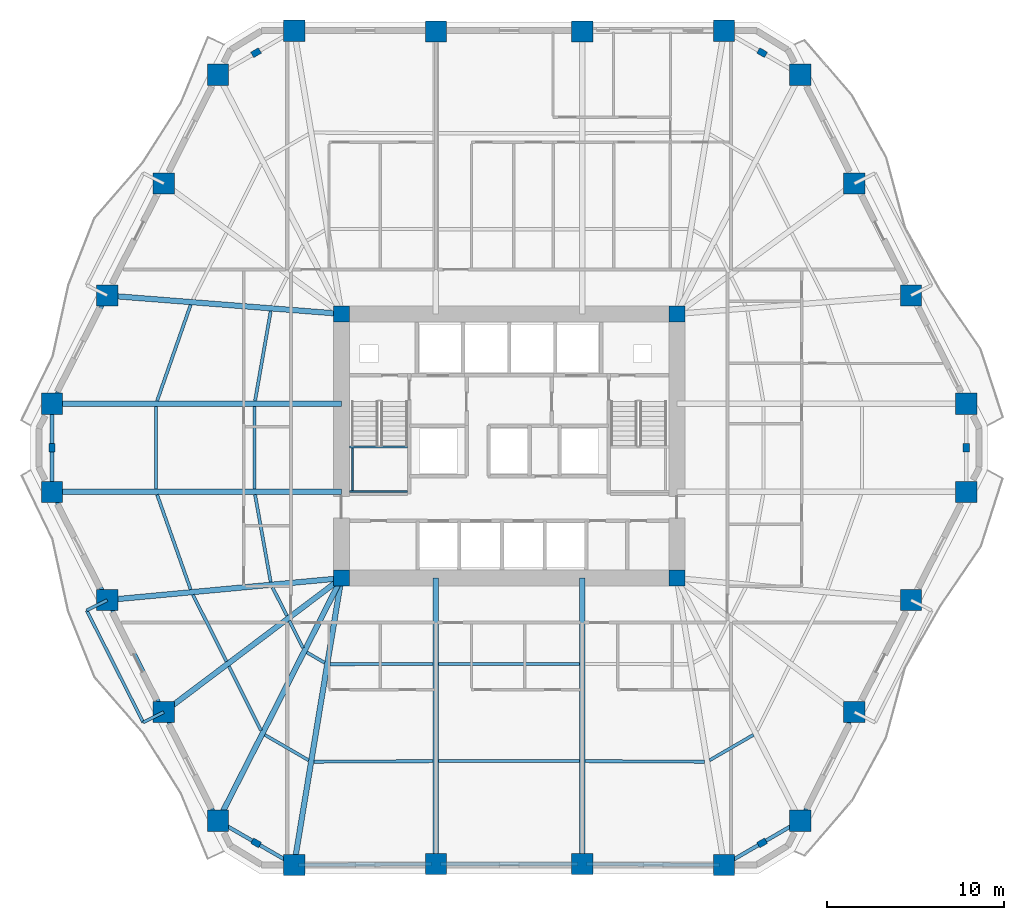
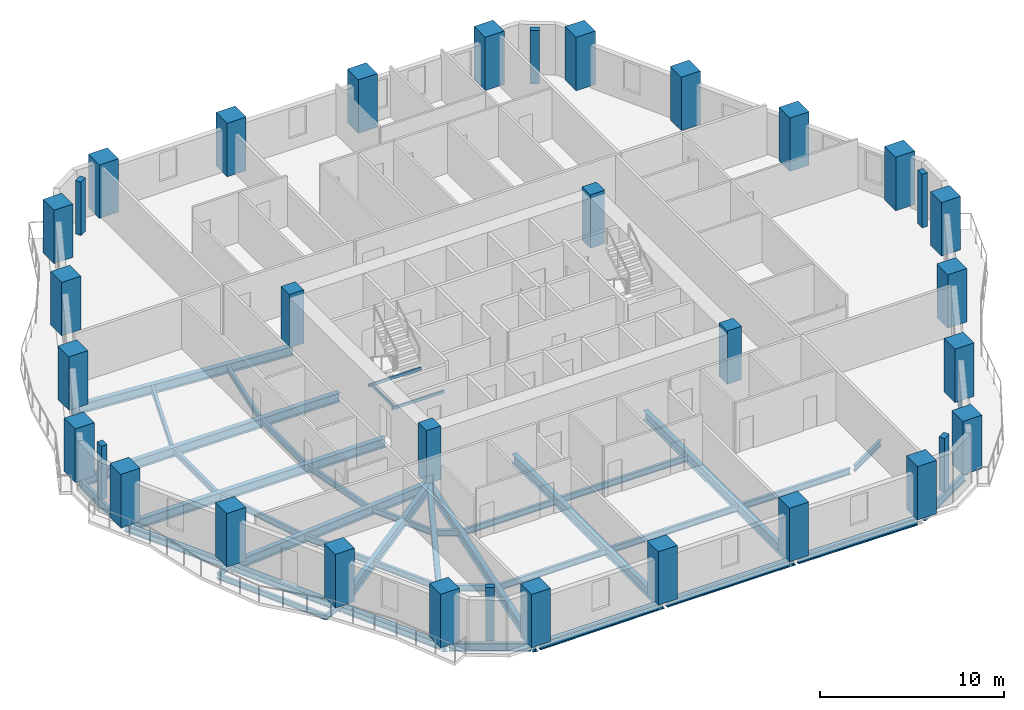
# One storey, part 1 of 11: 44 beams, 34 columns.
"""IFC4 building model written with IfcOpenShell, lengths in metres."""

from ifc_helpers import new_model, si_unit, direction, frame, origin, origin_2d, place, context, subcontext, project, spatial, rectangle, hollow_rectangle, i_section, extrude, material, material_profile, profile_set, type_object, element, save


model = new_model("IFC4")

# Units and contexts
model_context = context("Model", 3, precision=1e-05, world=origin(), true_north=direction((0.0, 1.0)))
body_context = subcontext(model_context, "Body", "Model", "MODEL_VIEW")
ifc_project = project(units=[si_unit("LENGTHUNIT", "METRE"), si_unit("AREAUNIT", "SQUARE_METRE"), si_unit("VOLUMEUNIT", "CUBIC_METRE"), si_unit("PLANEANGLEUNIT", "RADIAN"), si_unit("MASSUNIT", "GRAM", prefix="KILO")], contexts=[model_context])

# Site, building, storey
site_placement = place(None, origin())
site = spatial("IfcSite", under=ifc_project, at=site_placement, CompositionType="ELEMENT")
building_placement = place(site_placement, origin())
building = spatial("IfcBuilding", under=site, at=building_placement, Name="Cinnabar Lancet Tower", CompositionType="ELEMENT")
storey_placement = place(building_placement, frame((0.0, 0.0, 60.39990234375)))
storey = spatial("IfcBuildingStorey", under=building, at=storey_placement, Name="L15", CompositionType="ELEMENT", Elevation=60.39990234375)

# Columns
ifc_material_1 = material(Name="Concrete C80/95", Category="concrete")
ifc_material_profile_1 = material_profile(ifc_material_1, rectangle(XDim=0.89990234375, YDim=0.89990234375, at=origin_2d()), Name="RC-COL 900x900")
ifc_profile_set_1 = profile_set([ifc_material_profile_1], Name="Concrete C80/95")
column_type_1 = type_object("IfcColumnType", Name="STR-COL-CORE-900", PredefinedType="COLUMN", material=ifc_profile_set_1)
for number, where, z_axis, x_axis, name in (
    (1, (22.949951171875, 18.449951171875, 0.0), (0.0, 0.0, 1.0), (1.0, 0.0, 0.0), "L15 Core Corner Column SW"),
    (2, (41.85009765625, 18.449951171875, 0.0), (0.0, 0.0, 1.0), (1.0, 0.0, 0.0), "L15 Core Corner Column SE"),
    (3, (41.85009765625, 33.35009765625, 0.0), (0.0, 0.0, 1.0), (1.0, 0.0, 0.0), "L15 Core Corner Column NE"),
    (4, (22.949951171875, 33.35009765625, 0.0), (0.0, 0.0, 1.0), (1.0, 0.0, 0.0), "L15 Core Corner Column NW"),
):
    element("IfcColumn", number, at=place(storey_placement, frame(where, z_axis=z_axis, x_axis=x_axis)), inside=storey, type_object=column_type_1, Name=name, PredefinedType="COLUMN", context=body_context, shape_type="SweptSolid", body=[
        extrude(rectangle(XDim=0.89990234375, YDim=0.89990234375, at=origin_2d()), origin(), (0.0, 0.0, 1.0), 3.550048828125),
    ])
ifc_material_2 = material(Name="Concrete C60/75", Category="concrete")
ifc_material_profile_2 = material_profile(ifc_material_2, rectangle(XDim=0.5, YDim=0.35009765625, at=origin_2d()), Name="RC-PIL 500x350")
ifc_profile_set_2 = profile_set([ifc_material_profile_2], Name="Concrete C60/75")
column_type_2 = type_object("IfcColumnType", Name="STR-COL-PIL-500", PredefinedType="PILASTER", material=ifc_profile_set_2)
for number, where, z_axis, x_axis, name in (
    (5, (18.139892578125, 3.531005859375, 0.0), (0.0, 0.0, 1.0), (0.865195182343, -0.501435236546, 0.0), "L15 Chamfered Corner Pilaster 1"),
    (6, (46.659912109375, 3.531005859375, 0.0), (0.0, 0.0, 1.0), (0.865195182343, 0.501435236546, 0.0), "L15 Chamfered Corner Pilaster 2"),
    (7, (58.16796875, 25.800048828125, 0.0), (0.0, 0.0, 1.0), (0.0, 1.0, 0.0), "L15 Chamfered Corner Pilaster 3"),
    (8, (46.659912109375, 48.069091796875, 0.0), (0.0, 0.0, 1.0), (-0.865195182343, 0.501435236546, 0.0), "L15 Chamfered Corner Pilaster 4"),
    (9, (18.139892578125, 48.069091796875, 0.0), (0.0, 0.0, 1.0), (-0.865195182343, -0.501435236546, 0.0), "L15 Chamfered Corner Pilaster 5"),
    (10, (6.632080078125, 25.800048828125, 0.0), (0.0, 0.0, 1.0), (0.0, -1.0, 0.0), "L15 Chamfered Corner Pilaster 6"),
):
    element("IfcColumn", number, at=place(storey_placement, frame(where, z_axis=z_axis, x_axis=x_axis)), inside=storey, type_object=column_type_2, Name=name, PredefinedType="PILASTER", context=body_context, shape_type="SweptSolid", body=[
        extrude(rectangle(XDim=0.5, YDim=0.35009765625, at=origin_2d()), origin(), (0.0, 0.0, 1.0), 3.550048828125),
    ])
ifc_material_3 = material(Name="Concrete C80/95", Category="concrete")
ifc_material_profile_3 = material_profile(ifc_material_3, rectangle(XDim=1.199951171875, YDim=1.199951171875, at=origin_2d()), Name="RC-COL 1200x1200")
ifc_profile_set_3 = profile_set([ifc_material_profile_3], Name="Concrete C80/95")
column_type_3 = type_object("IfcColumnType", Name="STR-COL-TUBE-1200", PredefinedType="COLUMN", material=ifc_profile_set_3)
for number, where, z_axis, x_axis, name in (
    (11, (20.282958984375, 2.2890625, 0.0), (0.0, 0.0, 1.0), (1.0, 0.0, 0.0), "L15 Perimeter Tube Column 1"),
    (12, (28.278076171875, 2.342041015625, 0.0), (0.0, 0.0, 1.0), (1.0, 0.0, 0.0), "L15 Perimeter Tube Column 2"),
    (13, (36.52197265625, 2.342041015625, 0.0), (0.0, 0.0, 1.0), (1.0, 0.0, 0.0), "L15 Perimeter Tube Column 3"),
    (14, (44.51708984375, 2.2890625, 0.0), (0.0, 0.0, 1.0), (1.0, 0.0, 0.0), "L15 Perimeter Tube Column 4"),
    (15, (48.802978515625, 4.77294921875, 0.0), (0.0, 0.0, 1.0), (1.0, 0.0, 0.0), "L15 Perimeter Tube Column 5"),
    (16, (51.85888671875, 10.908935546875, 0.0), (0.0, 0.0, 1.0), (1.0, 0.0, 0.0), "L15 Perimeter Tube Column 6"),
    (17, (55.0458984375, 17.219970703125, 0.0), (0.0, 0.0, 1.0), (1.0, 0.0, 0.0), "L15 Perimeter Tube Column 7"),
    (18, (58.16796875, 23.31396484375, 0.0), (0.0, 0.0, 1.0), (1.0, 0.0, 0.0), "L15 Perimeter Tube Column 8"),
    (19, (58.16796875, 28.285888671875, 0.0), (0.0, 0.0, 1.0), (1.0, 0.0, 0.0), "L15 Perimeter Tube Column 9"),
    (20, (55.0458984375, 34.3798828125, 0.0), (0.0, 0.0, 1.0), (1.0, 0.0, 0.0), "L15 Perimeter Tube Column 10"),
    (21, (51.85888671875, 40.69091796875, 0.0), (0.0, 0.0, 1.0), (1.0, 0.0, 0.0), "L15 Perimeter Tube Column 11"),
    (22, (48.802978515625, 46.826904296875, 0.0), (0.0, 0.0, 1.0), (1.0, 0.0, 0.0), "L15 Perimeter Tube Column 12"),
    (23, (44.51708984375, 49.31103515625, 0.0), (0.0, 0.0, 1.0), (1.0, 0.0, 0.0), "L15 Perimeter Tube Column 13"),
    (24, (36.52197265625, 49.258056640625, 0.0), (0.0, 0.0, 1.0), (1.0, 0.0, 0.0), "L15 Perimeter Tube Column 14"),
    (25, (28.278076171875, 49.258056640625, 0.0), (0.0, 0.0, 1.0), (1.0, 0.0, 0.0), "L15 Perimeter Tube Column 15"),
    (26, (20.282958984375, 49.31103515625, 0.0), (0.0, 0.0, 1.0), (1.0, 0.0, 0.0), "L15 Perimeter Tube Column 16"),
    (27, (15.9970703125, 46.826904296875, 0.0), (0.0, 0.0, 1.0), (1.0, 0.0, 0.0), "L15 Perimeter Tube Column 17"),
    (28, (12.94091796875, 40.69091796875, 0.0), (0.0, 0.0, 1.0), (1.0, 0.0, 0.0), "L15 Perimeter Tube Column 18"),
    (29, (9.75390625, 34.3798828125, 0.0), (0.0, 0.0, 1.0), (1.0, 0.0, 0.0), "L15 Perimeter Tube Column 19"),
    (30, (6.632080078125, 28.285888671875, 0.0), (0.0, 0.0, 1.0), (1.0, 0.0, 0.0), "L15 Perimeter Tube Column 20"),
    (31, (6.632080078125, 23.31396484375, 0.0), (0.0, 0.0, 1.0), (1.0, 0.0, 0.0), "L15 Perimeter Tube Column 21"),
    (32, (9.75390625, 17.219970703125, 0.0), (0.0, 0.0, 1.0), (1.0, 0.0, 0.0), "L15 Perimeter Tube Column 22"),
    (33, (12.94091796875, 10.908935546875, 0.0), (0.0, 0.0, 1.0), (1.0, 0.0, 0.0), "L15 Perimeter Tube Column 23"),
    (34, (15.9970703125, 4.77294921875, 0.0), (0.0, 0.0, 1.0), (1.0, 0.0, 0.0), "L15 Perimeter Tube Column 24"),
):
    element("IfcColumn", number, at=place(storey_placement, frame(where, z_axis=z_axis, x_axis=x_axis)), inside=storey, type_object=column_type_3, Name=name, PredefinedType="COLUMN", context=body_context, shape_type="SweptSolid", body=[
        extrude(rectangle(XDim=1.199951171875, YDim=1.199951171875, at=origin_2d()), origin(), (0.0, 0.0, 1.0), 3.550048828125),
    ])

# Beams
ifc_material_4 = material(Name="Structural steel S355", Category="steel")
ifc_material_profile_4 = material_profile(ifc_material_4, i_section(OverallWidth=0.177978515625, OverallDepth=0.406494140625, WebThickness=0.0078125, FlangeThickness=0.0126953125, FilletRadius=0.01025390625, at=origin_2d()), Name="UKB 406x178x60")
ifc_profile_set_4 = profile_set([ifc_material_profile_4], Name="Structural steel S355")
beam_type_1 = type_object("IfcBeamType", Name="STR-BM-JST-406", PredefinedType="JOIST", material=ifc_profile_set_4)
beam_1_placement = place(storey_placement, frame((12.56103515625, 23.159912109375, -0.4228515625), z_axis=(0.333349133153, -0.942803455353, 0.0), x_axis=(0.942803455353, 0.333349133153, 0.0)))
element("IfcBeam", 35, at=beam_1_placement, inside=storey, type_object=beam_type_1, Name="L15 Secondary Floor Joist 1", PredefinedType="JOIST", context=body_context, shape_type="SweptSolid", body=[
    extrude(i_section(OverallWidth=0.177978515625, OverallDepth=0.406494140625, WebThickness=0.0078125, FlangeThickness=0.0126953125, FilletRadius=0.01025390625, at=origin_2d()), origin(), (0.0, 0.0, 1.0), 5.67236328125),
])
beam_2_placement = place(storey_placement, frame((18.08203125, 23.159912109375, -0.4228515625), z_axis=(0.176227857104, -0.984349400559, 0.0), x_axis=(0.984349400559, 0.176227857104, 0.0)))
element("IfcBeam", 36, at=beam_2_placement, inside=storey, type_object=beam_type_1, Name="L15 Secondary Floor Joist 2", PredefinedType="JOIST", context=body_context, shape_type="SweptSolid", body=[
    extrude(i_section(OverallWidth=0.177978515625, OverallDepth=0.406494140625, WebThickness=0.0078125, FlangeThickness=0.0126953125, FilletRadius=0.01025390625, at=origin_2d()), origin(), (0.0, 0.0, 1.0), 5.00537109375),
])
beam_3_placement = place(storey_placement, frame((14.5791015625, 17.51611328125, -0.4228515625), z_axis=(0.450717414682, -0.892666685893, 0.0), x_axis=(0.892666685893, 0.450717414682, 0.0)))
element("IfcBeam", 37, at=beam_3_placement, inside=storey, type_object=beam_type_1, Name="L15 Secondary Floor Joist 3", PredefinedType="JOIST", context=body_context, shape_type="SweptSolid", body=[
    extrude(i_section(OverallWidth=0.177978515625, OverallDepth=0.406494140625, WebThickness=0.0078125, FlangeThickness=0.0126953125, FilletRadius=0.01025390625, at=origin_2d()), origin(), (0.0, 0.0, 1.0), 4.204345703125),
])
beam_4_placement = place(storey_placement, frame((19.06591796875, 17.93408203125, -0.4228515625), z_axis=(0.450519589093, -0.892766542744, 0.0), x_axis=(0.892766542744, 0.450519589093, 0.0)))
element("IfcBeam", 38, at=beam_4_placement, inside=storey, type_object=beam_type_1, Name="L15 Secondary Floor Joist 4", PredefinedType="JOIST", context=body_context, shape_type="SweptSolid", body=[
    extrude(i_section(OverallWidth=0.177978515625, OverallDepth=0.406494140625, WebThickness=0.0078125, FlangeThickness=0.0126953125, FilletRadius=0.01025390625, at=origin_2d()), origin(), (0.0, 0.0, 1.0), 1.80029296875),
])
beam_5_placement = place(storey_placement, frame((16.614013671875, 13.48388671875, -0.4228515625), z_axis=(0.445835127839, -0.895115098065, 0.0), x_axis=(0.895115098065, 0.445835127839, 0.0)))
element("IfcBeam", 39, at=beam_5_placement, inside=storey, type_object=beam_type_1, Name="L15 Secondary Floor Joist 5", PredefinedType="JOIST", context=body_context, shape_type="SweptSolid", body=[
    extrude(i_section(OverallWidth=0.177978515625, OverallDepth=0.406494140625, WebThickness=0.0078125, FlangeThickness=0.0126953125, FilletRadius=0.01025390625, at=origin_2d()), origin(), (0.0, 0.0, 1.0), 4.03955078125),
])
beam_6_placement = place(storey_placement, frame((20.01708984375, 16.048095703125, -0.4228515625), z_axis=(0.44578468599, -0.895140220154, 0.0), x_axis=(0.895140220154, 0.44578468599, 0.0)))
element("IfcBeam", 40, at=beam_6_placement, inside=storey, type_object=beam_type_1, Name="L15 Secondary Floor Joist 6", PredefinedType="JOIST", context=body_context, shape_type="SweptSolid", body=[
    extrude(i_section(OverallWidth=0.177978515625, OverallDepth=0.406494140625, WebThickness=0.0078125, FlangeThickness=0.0126953125, FilletRadius=0.01025390625, at=origin_2d()), origin(), (0.0, 0.0, 1.0), 1.709228515625),
])
beam_7_placement = place(storey_placement, frame((18.633056640625, 9.6201171875, -0.4228515625), z_axis=(0.865076496111, -0.501639966387, 0.0), x_axis=(0.501639966387, 0.865076496111, 0.0)))
element("IfcBeam", 41, at=beam_7_placement, inside=storey, type_object=beam_type_1, Name="L15 Secondary Floor Joist 7", PredefinedType="JOIST", context=body_context, shape_type="SweptSolid", body=[
    extrude(i_section(OverallWidth=0.177978515625, OverallDepth=0.406494140625, WebThickness=0.0078125, FlangeThickness=0.0126953125, FilletRadius=0.01025390625, at=origin_2d()), origin(), (0.0, 0.0, 1.0), 2.85302734375),
])
beam_8_placement = place(storey_placement, frame((20.9970703125, 14.27001953125, -0.4228515625), z_axis=(0.865192550274, -0.50143977799, 0.0), x_axis=(0.50143977799, 0.865192550274, 0.0)))
element("IfcBeam", 42, at=beam_8_placement, inside=storey, type_object=beam_type_1, Name="L15 Secondary Floor Joist 8", PredefinedType="JOIST", context=body_context, shape_type="SweptSolid", body=[
    extrude(i_section(OverallWidth=0.177978515625, OverallDepth=0.406494140625, WebThickness=0.0078125, FlangeThickness=0.0126953125, FilletRadius=0.01025390625, at=origin_2d()), origin(), (0.0, 0.0, 1.0), 1.16845703125),
])
beam_9_placement = place(storey_placement, frame((21.39892578125, 8.10791015625, -0.4228515625), z_axis=(0.999988691939, 0.004755627628, 0.0), x_axis=(-0.004755627628, 0.999988691939, 0.0)))
element("IfcBeam", 43, at=beam_9_placement, inside=storey, type_object=beam_type_1, Name="L15 Secondary Floor Joist 9", PredefinedType="JOIST", context=body_context, shape_type="SweptSolid", body=[
    extrude(i_section(OverallWidth=0.177978515625, OverallDepth=0.406494140625, WebThickness=0.0078125, FlangeThickness=0.0126953125, FilletRadius=0.01025390625, at=origin_2d()), origin(), (0.0, 0.0, 1.0), 6.72509765625),
])
beam_10_placement = place(storey_placement, frame((22.305908203125, 13.60205078125, -0.4228515625), z_axis=(0.999996724007, 0.002559682773, 0.0), x_axis=(-0.002559682773, 0.999996724007, 0.0)))
element("IfcBeam", 44, at=beam_10_placement, inside=storey, type_object=beam_type_1, Name="L15 Secondary Floor Joist 10", PredefinedType="JOIST", context=body_context, shape_type="SweptSolid", body=[
    extrude(i_section(OverallWidth=0.177978515625, OverallDepth=0.406494140625, WebThickness=0.0078125, FlangeThickness=0.0126953125, FilletRadius=0.01025390625, at=origin_2d()), origin(), (0.0, 0.0, 1.0), 5.818115234375),
])
for number, where, z_axis, x_axis, name in (
    (45, (28.431884765625, 8.14111328125, -0.4228515625), (1.0, 0.0, 0.0), (0.0, 1.0, 0.0), "L15 Secondary Floor Joist 11"),
    (46, (28.431884765625, 13.617919921875, -0.4228515625), (1.0, 0.0, 0.0), (0.0, 1.0, 0.0), "L15 Secondary Floor Joist 12"),
):
    element("IfcBeam", number, at=place(storey_placement, frame(where, z_axis=z_axis, x_axis=x_axis)), inside=storey, type_object=beam_type_1, Name=name, PredefinedType="JOIST", context=body_context, shape_type="SweptSolid", body=[
        extrude(i_section(OverallWidth=0.177978515625, OverallDepth=0.406494140625, WebThickness=0.0078125, FlangeThickness=0.0126953125, FilletRadius=0.01025390625, at=origin_2d()), origin(), (0.0, 0.0, 1.0), 7.93603515625),
    ])
beam_11_placement = place(storey_placement, frame((36.676025390625, 8.139892578125, -0.4228515625), z_axis=(0.999988691118, -0.004755800274, 0.0), x_axis=(0.004755800274, 0.999988691118, 0.0)))
element("IfcBeam", 47, at=beam_11_placement, inside=storey, type_object=beam_type_1, Name="L15 Secondary Floor Joist 13", PredefinedType="JOIST", context=body_context, shape_type="SweptSolid", body=[
    extrude(i_section(OverallWidth=0.177978515625, OverallDepth=0.406494140625, WebThickness=0.0078125, FlangeThickness=0.0126953125, FilletRadius=0.01025390625, at=origin_2d()), origin(), (0.0, 0.0, 1.0), 6.724853515625),
])
beam_12_placement = place(storey_placement, frame((43.698974609375, 8.18896484375, -0.4228515625), z_axis=(0.865076496111, 0.501639966387, 0.0), x_axis=(-0.501639966387, 0.865076496111, 0.0)))
element("IfcBeam", 48, at=beam_12_placement, inside=storey, type_object=beam_type_1, Name="L15 Secondary Floor Joist 15", PredefinedType="JOIST", context=body_context, shape_type="SweptSolid", body=[
    extrude(i_section(OverallWidth=0.177978515625, OverallDepth=0.406494140625, WebThickness=0.0078125, FlangeThickness=0.0126953125, FilletRadius=0.01025390625, at=origin_2d()), origin(), (0.0, 0.0, 1.0), 2.85302734375),
])
beam_13_placement = place(storey_placement, frame((14.451904296875, 33.85888671875, -0.4228515625), z_axis=(-0.329607609001, -0.944118013857, 0.0), x_axis=(0.944118013857, -0.329607609001, 0.0)))
element("IfcBeam", 49, at=beam_13_placement, inside=storey, type_object=beam_type_1, Name="L15 Secondary Floor Joist 45", PredefinedType="JOIST", context=body_context, shape_type="SweptSolid", body=[
    extrude(i_section(OverallWidth=0.177978515625, OverallDepth=0.406494140625, WebThickness=0.0078125, FlangeThickness=0.0126953125, FilletRadius=0.01025390625, at=origin_2d()), origin(), (0.0, 0.0, 1.0), 5.73974609375),
])
beam_14_placement = place(storey_placement, frame((18.965087890625, 33.507080078125, -0.4228515625), z_axis=(-0.171867959611, -0.985119994954, 0.0), x_axis=(0.985119994954, -0.171867959611, 0.0)))
element("IfcBeam", 50, at=beam_14_placement, inside=storey, type_object=beam_type_1, Name="L15 Secondary Floor Joist 46", PredefinedType="JOIST", context=body_context, shape_type="SweptSolid", body=[
    extrude(i_section(OverallWidth=0.177978515625, OverallDepth=0.406494140625, WebThickness=0.0078125, FlangeThickness=0.0126953125, FilletRadius=0.01025390625, at=origin_2d()), origin(), (0.0, 0.0, 1.0), 5.1435546875),
])
for number, where, z_axis, x_axis, name in (
    (51, (12.506103515625, 28.132080078125, -0.4228515625), (0.0, -1.0, 0.0), (1.0, 0.0, 0.0), "L15 Secondary Floor Joist 47"),
    (52, (18.054931640625, 28.132080078125, -0.4228515625), (0.0, -1.0, 0.0), (1.0, 0.0, 0.0), "L15 Secondary Floor Joist 48"),
):
    element("IfcBeam", number, at=place(storey_placement, frame(where, z_axis=z_axis, x_axis=x_axis)), inside=storey, type_object=beam_type_1, Name=name, PredefinedType="JOIST", context=body_context, shape_type="SweptSolid", body=[
        extrude(i_section(OverallWidth=0.177978515625, OverallDepth=0.406494140625, WebThickness=0.0078125, FlangeThickness=0.0126953125, FilletRadius=0.01025390625, at=origin_2d()), origin(), (0.0, 0.0, 1.0), 4.6640625),
    ])
ifc_material_5 = material(Name="Structural steel S355", Category="steel")
ifc_material_profile_5 = material_profile(ifc_material_5, hollow_rectangle(XDim=0.10009765625, YDim=0.199951171875, WallThickness=0.008056640625, InnerFilletRadius=0.00390625, OuterFilletRadius=0.011962890625, at=origin_2d()), Name="RHS 200x100x8")
ifc_profile_set_5 = profile_set([ifc_material_profile_5], Name="Structural steel S355")
beam_type_2 = type_object("IfcBeamType", Name="STR-BM-LND-203", PredefinedType="BEAM", material=ifc_profile_set_5)
for number, where, z_axis, x_axis, name in (
    (53, (23.39990234375, 23.330078125, 1.47509765625), (1.0, 0.0, 0.0), (0.0, 1.0, 0.0), "L15 ST-1-L15 Landing Support Beam S"),
    (54, (23.39990234375, 25.844970703125, 1.47509765625), (1.0, 0.0, 0.0), (0.0, 1.0, 0.0), "L15 ST-1-L15 Landing Support Beam N"),
):
    element("IfcBeam", number, at=place(storey_placement, frame(where, z_axis=z_axis, x_axis=x_axis)), inside=storey, type_object=beam_type_2, Name=name, PredefinedType="BEAM", context=body_context, shape_type="SweptSolid", body=[
        extrude(hollow_rectangle(XDim=0.10009765625, YDim=0.199951171875, WallThickness=0.008056640625, InnerFilletRadius=0.00390625, OuterFilletRadius=0.011962890625, at=origin_2d()), origin(), (0.0, 0.0, 1.0), 3.280029296875),
    ])
beam_15_placement = place(storey_placement, frame((23.580078125, 23.3798828125, 1.47509765625), z_axis=(0.0, 1.0, 0.0), x_axis=(-1.0, 0.0, 0.0)))
element("IfcBeam", 55, at=beam_15_placement, inside=storey, type_object=beam_type_2, Name="L15 ST-1-L15 Landing Side Trimmer Beam", PredefinedType="BEAM", context=body_context, shape_type="SweptSolid", body=[
    extrude(hollow_rectangle(XDim=0.10009765625, YDim=0.199951171875, WallThickness=0.008056640625, InnerFilletRadius=0.00390625, OuterFilletRadius=0.011962890625, at=origin_2d()), origin(), (0.0, 0.0, 1.0), 2.4150390625),
])
ifc_material_6 = material(Name="Structural steel S355", Category="steel")
ifc_material_profile_6 = material_profile(ifc_material_6, i_section(OverallWidth=0.209228515625, OverallDepth=0.533203125, WebThickness=0.010009765625, FlangeThickness=0.015625, FilletRadius=0.0126953125, at=origin_2d()), Name="UKB 533x210x92")
ifc_profile_set_6 = profile_set([ifc_material_profile_6], Name="Structural steel S355")
beam_type_3 = type_object("IfcBeamType", Name="STR-BM-SPN-533", PredefinedType="SPANDREL", material=ifc_profile_set_6)
beam_16_placement = place(storey_placement, frame((20.532958984375, 2.291015625, -0.48681640625), z_axis=(0.99997856757, 0.006547090947, 0.0), x_axis=(-0.006547090947, 0.99997856757, 0.0)))
element("IfcBeam", 56, at=beam_16_placement, inside=storey, type_object=beam_type_3, Name="L15 Perimeter Spandrel 1", PredefinedType="SPANDREL", context=body_context, shape_type="SweptSolid", body=[
    extrude(i_section(OverallWidth=0.209228515625, OverallDepth=0.533203125, WebThickness=0.010009765625, FlangeThickness=0.015625, FilletRadius=0.0126953125, at=origin_2d()), origin(), (0.0, 0.0, 1.0), 7.495361328125),
])
beam_17_placement = place(storey_placement, frame((28.528076171875, 2.342041015625, -0.48681640625), z_axis=(1.0, 0.0, 0.0), x_axis=(0.0, 1.0, 0.0)))
element("IfcBeam", 57, at=beam_17_placement, inside=storey, type_object=beam_type_3, Name="L15 Perimeter Spandrel 2", PredefinedType="SPANDREL", context=body_context, shape_type="SweptSolid", body=[
    extrude(i_section(OverallWidth=0.209228515625, OverallDepth=0.533203125, WebThickness=0.010009765625, FlangeThickness=0.015625, FilletRadius=0.0126953125, at=origin_2d()), origin(), (0.0, 0.0, 1.0), 7.743896484375),
])
beam_18_placement = place(storey_placement, frame((36.77197265625, 2.340087890625, -0.48681640625), z_axis=(0.99997856757, -0.006547090947, 0.0), x_axis=(0.006547090947, 0.99997856757, 0.0)))
element("IfcBeam", 58, at=beam_18_placement, inside=storey, type_object=beam_type_3, Name="L15 Perimeter Spandrel 3", PredefinedType="SPANDREL", context=body_context, shape_type="SweptSolid", body=[
    extrude(i_section(OverallWidth=0.209228515625, OverallDepth=0.533203125, WebThickness=0.010009765625, FlangeThickness=0.015625, FilletRadius=0.0126953125, at=origin_2d()), origin(), (0.0, 0.0, 1.0), 7.495361328125),
])
beam_19_placement = place(storey_placement, frame((44.73291015625, 2.4140625, -0.48681640625), z_axis=(0.865171017323, 0.501476929463, 0.0), x_axis=(-0.501476929463, 0.865171017323, 0.0)))
element("IfcBeam", 59, at=beam_19_placement, inside=storey, type_object=beam_type_3, Name="L15 Perimeter Spandrel 4", PredefinedType="SPANDREL", context=body_context, shape_type="SweptSolid", body=[
    extrude(i_section(OverallWidth=0.209228515625, OverallDepth=0.533203125, WebThickness=0.010009765625, FlangeThickness=0.015625, FilletRadius=0.0126953125, at=origin_2d()), origin(), (0.0, 0.0, 1.0), 4.45458984375),
])
beam_20_placement = place(storey_placement, frame((48.9140625, 4.9970703125, -0.48681640625), z_axis=(0.445953050023, 0.89505635419, 0.0), x_axis=(-0.89505635419, 0.445953050023, 0.0)))
element("IfcBeam", 60, at=beam_20_placement, inside=storey, type_object=beam_type_3, Name="L15 Perimeter Spandrel 5", PredefinedType="SPANDREL", context=body_context, shape_type="SweptSolid", body=[
    extrude(i_section(OverallWidth=0.209228515625, OverallDepth=0.533203125, WebThickness=0.010009765625, FlangeThickness=0.015625, FilletRadius=0.0126953125, at=origin_2d()), origin(), (0.0, 0.0, 1.0), 6.35498046875),
])
beam_21_placement = place(storey_placement, frame((9.639892578125, 34.156982421875, -0.48681640625), z_axis=(-0.455994051912, -0.889982822655, 0.0), x_axis=(0.889982822655, -0.455994051912, 0.0)))
element("IfcBeam", 61, at=beam_21_placement, inside=storey, type_object=beam_type_3, Name="L15 Perimeter Spandrel 19", PredefinedType="SPANDREL", context=body_context, shape_type="SweptSolid", body=[
    extrude(i_section(OverallWidth=0.209228515625, OverallDepth=0.533203125, WebThickness=0.010009765625, FlangeThickness=0.015625, FilletRadius=0.0126953125, at=origin_2d()), origin(), (0.0, 0.0, 1.0), 6.34619140625),
])
beam_22_placement = place(storey_placement, frame((6.632080078125, 28.035888671875, -0.48681640625), z_axis=(0.0, -1.0, 0.0), x_axis=(1.0, 0.0, 0.0)))
element("IfcBeam", 62, at=beam_22_placement, inside=storey, type_object=beam_type_3, Name="L15 Perimeter Spandrel 20", PredefinedType="SPANDREL", context=body_context, shape_type="SweptSolid", body=[
    extrude(i_section(OverallWidth=0.209228515625, OverallDepth=0.533203125, WebThickness=0.010009765625, FlangeThickness=0.015625, FilletRadius=0.0126953125, at=origin_2d()), origin(), (0.0, 0.0, 1.0), 4.471923828125),
])
beam_23_placement = place(storey_placement, frame((6.74609375, 23.091064453125, -0.48681640625), z_axis=(0.455994051912, -0.889982822655, 0.0), x_axis=(0.889982822655, 0.455994051912, 0.0)))
element("IfcBeam", 63, at=beam_23_placement, inside=storey, type_object=beam_type_3, Name="L15 Perimeter Spandrel 21", PredefinedType="SPANDREL", context=body_context, shape_type="SweptSolid", body=[
    extrude(i_section(OverallWidth=0.209228515625, OverallDepth=0.533203125, WebThickness=0.010009765625, FlangeThickness=0.015625, FilletRadius=0.0126953125, at=origin_2d()), origin(), (0.0, 0.0, 1.0), 6.34619140625),
])
beam_24_placement = place(storey_placement, frame((9.866943359375, 16.9970703125, -0.48681640625), z_axis=(0.450673532306, -0.892688841242, 0.0), x_axis=(0.892688841242, 0.450673532306, 0.0)))
element("IfcBeam", 64, at=beam_24_placement, inside=storey, type_object=beam_type_3, Name="L15 Perimeter Spandrel 22", PredefinedType="SPANDREL", context=body_context, shape_type="SweptSolid", body=[
    extrude(i_section(OverallWidth=0.209228515625, OverallDepth=0.533203125, WebThickness=0.010009765625, FlangeThickness=0.015625, FilletRadius=0.0126953125, at=origin_2d()), origin(), (0.0, 0.0, 1.0), 6.570068359375),
])
beam_25_placement = place(storey_placement, frame((13.052001953125, 10.68505859375, -0.48681640625), z_axis=(0.445953050023, -0.89505635419, 0.0), x_axis=(0.89505635419, 0.445953050023, 0.0)))
element("IfcBeam", 65, at=beam_25_placement, inside=storey, type_object=beam_type_3, Name="L15 Perimeter Spandrel 23", PredefinedType="SPANDREL", context=body_context, shape_type="SweptSolid", body=[
    extrude(i_section(OverallWidth=0.209228515625, OverallDepth=0.533203125, WebThickness=0.010009765625, FlangeThickness=0.015625, FilletRadius=0.0126953125, at=origin_2d()), origin(), (0.0, 0.0, 1.0), 6.35498046875),
])
beam_26_placement = place(storey_placement, frame((16.212890625, 4.64794921875, -0.48681640625), z_axis=(0.865171017323, -0.501476929463, 0.0), x_axis=(0.501476929463, 0.865171017323, 0.0)))
element("IfcBeam", 66, at=beam_26_placement, inside=storey, type_object=beam_type_3, Name="L15 Perimeter Spandrel 24", PredefinedType="SPANDREL", context=body_context, shape_type="SweptSolid", body=[
    extrude(i_section(OverallWidth=0.209228515625, OverallDepth=0.533203125, WebThickness=0.010009765625, FlangeThickness=0.015625, FilletRadius=0.0126953125, at=origin_2d()), origin(), (0.0, 0.0, 1.0), 4.45458984375),
])
ifc_material_7 = material(Name="Structural steel S355", Category="steel")
ifc_material_profile_7 = material_profile(ifc_material_7, i_section(OverallWidth=0.30712890625, OverallDepth=0.6201171875, WebThickness=0.01416015625, FlangeThickness=0.023681640625, FilletRadius=0.0166015625, at=origin_2d()), Name="UKB 610x305x179")
ifc_profile_set_7 = profile_set([ifc_material_profile_7], Name="Structural steel S355")
beam_type_4 = type_object("IfcBeamType", Name="STR-BM-UKB610-179", PredefinedType="BEAM", material=ifc_profile_set_7)
beam_27_placement = place(storey_placement, frame((12.94091796875, 10.908935546875, -0.52978515625), z_axis=(0.798686588468, 0.601747233812, 0.0), x_axis=(-0.601747233812, 0.798686588468, 0.0)))
element("IfcBeam", 67, at=beam_27_placement, inside=storey, type_object=beam_type_4, Name="L15 Corner Collector Girder 1", PredefinedType="BEAM", context=body_context, shape_type="SweptSolid", body=[
    extrude(i_section(OverallWidth=0.30712890625, OverallDepth=0.6201171875, WebThickness=0.01416015625, FlangeThickness=0.023681640625, FilletRadius=0.0166015625, at=origin_2d()), origin(), (0.0, 0.0, 1.0), 12.531982421875),
])
beam_28_placement = place(storey_placement, frame((20.282958984375, 2.2890625, -0.52978515625), z_axis=(0.162825264118, 0.986654921117, 0.0), x_axis=(-0.986654921117, 0.162825264118, 0.0)))
element("IfcBeam", 68, at=beam_28_placement, inside=storey, type_object=beam_type_4, Name="L15 Primary Floor Girder 1", PredefinedType="BEAM", context=body_context, shape_type="SweptSolid", body=[
    extrude(i_section(OverallWidth=0.30712890625, OverallDepth=0.6201171875, WebThickness=0.01416015625, FlangeThickness=0.023681640625, FilletRadius=0.0166015625, at=origin_2d()), origin(), (0.0, 0.0, 1.0), 16.37939453125),
])
for number, where, z_axis, x_axis, name in (
    (69, (28.278076171875, 2.342041015625, -0.52978515625), (0.0, 1.0, 0.0), (-1.0, 0.0, 0.0), "L15 Primary Floor Girder 2"),
    (70, (36.52197265625, 2.342041015625, -0.52978515625), (0.0, 1.0, 0.0), (-1.0, 0.0, 0.0), "L15 Primary Floor Girder 3"),
):
    element("IfcBeam", number, at=place(storey_placement, frame(where, z_axis=z_axis, x_axis=x_axis)), inside=storey, type_object=beam_type_4, Name=name, PredefinedType="BEAM", context=body_context, shape_type="SweptSolid", body=[
        extrude(i_section(OverallWidth=0.30712890625, OverallDepth=0.6201171875, WebThickness=0.01416015625, FlangeThickness=0.023681640625, FilletRadius=0.0166015625, at=origin_2d()), origin(), (0.0, 0.0, 1.0), 16.10791015625),
    ])
beam_29_placement = place(storey_placement, frame((9.75390625, 34.3798828125, -0.52978515625), z_axis=(0.99696891848, -0.077800871365, 0.0), x_axis=(0.077800871365, 0.99696891848, 0.0)))
element("IfcBeam", 71, at=beam_29_placement, inside=storey, type_object=beam_type_4, Name="L15 Primary Floor Girder 19", PredefinedType="BEAM", context=body_context, shape_type="SweptSolid", body=[
    extrude(i_section(OverallWidth=0.30712890625, OverallDepth=0.6201171875, WebThickness=0.01416015625, FlangeThickness=0.023681640625, FilletRadius=0.0166015625, at=origin_2d()), origin(), (0.0, 0.0, 1.0), 13.236083984375),
])
for number, where, z_axis, x_axis, name in (
    (72, (6.632080078125, 28.285888671875, -0.52978515625), (1.0, 0.0, 0.0), (0.0, 1.0, 0.0), "L15 Primary Floor Girder 20"),
    (73, (6.632080078125, 23.31396484375, -0.52978515625), (1.0, 0.0, 0.0), (0.0, 1.0, 0.0), "L15 Primary Floor Girder 21"),
):
    element("IfcBeam", number, at=place(storey_placement, frame(where, z_axis=z_axis, x_axis=x_axis)), inside=storey, type_object=beam_type_4, Name=name, PredefinedType="BEAM", context=body_context, shape_type="SweptSolid", body=[
        extrude(i_section(OverallWidth=0.30712890625, OverallDepth=0.6201171875, WebThickness=0.01416015625, FlangeThickness=0.023681640625, FilletRadius=0.0166015625, at=origin_2d()), origin(), (0.0, 0.0, 1.0), 16.31787109375),
    ])
beam_30_placement = place(storey_placement, frame((9.75390625, 17.219970703125, -0.52978515625), z_axis=(0.995684210255, 0.092805998987, 0.0), x_axis=(-0.092805998987, 0.995684210255, 0.0)))
element("IfcBeam", 74, at=beam_30_placement, inside=storey, type_object=beam_type_4, Name="L15 Primary Floor Girder 22", PredefinedType="BEAM", context=body_context, shape_type="SweptSolid", body=[
    extrude(i_section(OverallWidth=0.30712890625, OverallDepth=0.6201171875, WebThickness=0.01416015625, FlangeThickness=0.023681640625, FilletRadius=0.0166015625, at=origin_2d()), origin(), (0.0, 0.0, 1.0), 13.253173828125),
])
beam_31_placement = place(storey_placement, frame((15.9970703125, 4.77294921875, -0.52978515625), z_axis=(0.453167599586, 0.89142533433, 0.0), x_axis=(-0.89142533433, 0.453167599586, 0.0)))
element("IfcBeam", 75, at=beam_31_placement, inside=storey, type_object=beam_type_4, Name="L15 Primary Floor Girder 24", PredefinedType="BEAM", context=body_context, shape_type="SweptSolid", body=[
    extrude(i_section(OverallWidth=0.30712890625, OverallDepth=0.6201171875, WebThickness=0.01416015625, FlangeThickness=0.023681640625, FilletRadius=0.0166015625, at=origin_2d()), origin(), (0.0, 0.0, 1.0), 15.3427734375),
])
ifc_material_8 = material(Name="Structural steel S355", Category="steel")
ifc_material_profile_8 = material_profile(ifc_material_8, i_section(OverallWidth=0.17138671875, OverallDepth=0.35498046875, WebThickness=0.00732421875, FlangeThickness=0.011474609375, FilletRadius=0.01025390625, at=origin_2d()), Name="UKB 356x171x51")
ifc_profile_set_8 = profile_set([ifc_material_profile_8], Name="Structural steel S355")
beam_type_5 = type_object("IfcBeamType", Name="STR-BM-WAV-OUT", PredefinedType="BEAM", material=ifc_profile_set_8)
for number, where, z_axis, x_axis, name in (
    (76, (9.75390625, 17.219970703125, -0.39794921875), (-0.89227592947, -0.451490493464, 0.0), (0.451490493464, -0.89227592947, 0.0), "L15 Face 6 Balcony Outlooker A"),
    (77, (12.94091796875, 10.908935546875, -0.39794921875), (-0.89227592947, -0.451490493464, 0.0), (0.451490493464, -0.89227592947, 0.0), "L15 Face 6 Balcony Outlooker B"),
):
    element("IfcBeam", number, at=place(storey_placement, frame(where, z_axis=z_axis, x_axis=x_axis)), inside=storey, type_object=beam_type_5, Name=name, PredefinedType="BEAM", context=body_context, shape_type="SweptSolid", body=[
        extrude(i_section(OverallWidth=0.17138671875, OverallDepth=0.35498046875, WebThickness=0.00732421875, FlangeThickness=0.011474609375, FilletRadius=0.01025390625, at=origin_2d()), origin(), (0.0, 0.0, 1.0), 1.300048828125),
    ])
ifc_material_9 = material(Name="Structural steel S355", Category="steel")
ifc_material_profile_9 = material_profile(ifc_material_9, i_section(OverallWidth=0.17138671875, OverallDepth=0.35498046875, WebThickness=0.00732421875, FlangeThickness=0.011474609375, FilletRadius=0.01025390625, at=origin_2d()), Name="UKB 356x171x51")
ifc_profile_set_9 = profile_set([ifc_material_profile_9], Name="Structural steel S355")
beam_type_6 = type_object("IfcBeamType", Name="STR-BM-WAV-TRIM", PredefinedType="SPANDREL", material=ifc_profile_set_9)
beam_32_placement = place(storey_placement, frame((8.593994140625, 16.633056640625, -0.39794921875), z_axis=(0.450773692627, -0.892638268301, 0.0), x_axis=(0.892638268301, 0.450773692627, 0.0)))
element("IfcBeam", 78, at=beam_32_placement, inside=storey, type_object=beam_type_6, Name="L15 Face 6 Balcony Edge Trimmer", PredefinedType="SPANDREL", context=body_context, shape_type="SweptSolid", body=[
    extrude(i_section(OverallWidth=0.17138671875, OverallDepth=0.35498046875, WebThickness=0.00732421875, FlangeThickness=0.011474609375, FilletRadius=0.01025390625, at=origin_2d()), origin(), (0.0, 0.0, 1.0), 7.070068359375),
])

save(model, "model.ifc")
